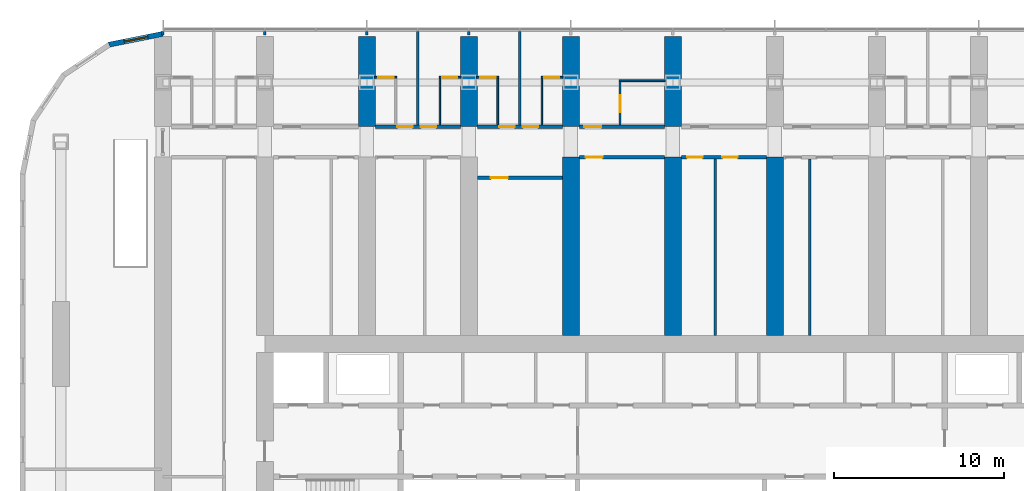
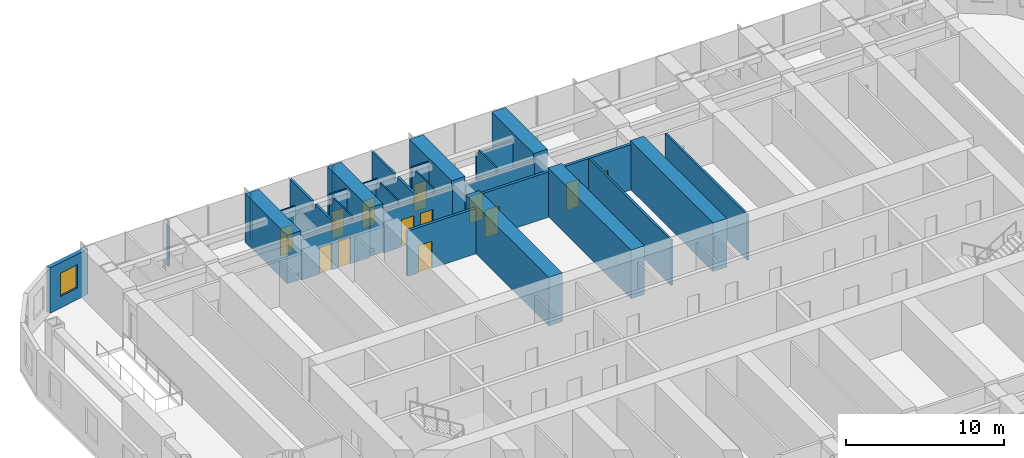
# One storey, part 15 of 23: 31 walls, 14 doors, 1 window, 15 openings.
"""IFC4 building model written with IfcOpenShell, lengths in metres."""

from ifc_helpers import new_model, si_unit, direction, frame, frame_2d, origin, place, context, subcontext, project, spatial, polyline, rectangle, outline, extrude, material, layer, layer_set, type_object, element, fill, save


model = new_model("IFC4")

# Units and contexts
model_context = context("Model", 3, precision=1e-05, world=origin(), true_north=direction((0.0, 1.0)))
body_context = subcontext(model_context, "Body", "Model", "MODEL_VIEW")
ifc_project = project(units=[si_unit("LENGTHUNIT", "METRE"), si_unit("AREAUNIT", "SQUARE_METRE"), si_unit("VOLUMEUNIT", "CUBIC_METRE"), si_unit("PLANEANGLEUNIT", "RADIAN"), si_unit("MASSUNIT", "GRAM", prefix="KILO")], contexts=[model_context])

# Site, building, storey
site_placement = place(None, origin())
site = spatial("IfcSite", under=ifc_project, at=site_placement, CompositionType="ELEMENT")
building_placement = place(site_placement, origin())
building = spatial("IfcBuilding", under=site, at=building_placement, Name="Orbita Commons", CompositionType="ELEMENT")
storey_placement = place(building_placement, frame((0.0, 0.0, 42.699951171875)))
storey = spatial("IfcBuildingStorey", under=building, at=storey_placement, Name="L10", CompositionType="ELEMENT", Elevation=42.699951171875)

# Wall, openings, doors
ifc_material_1 = material(Name="Concrete blockwork", Category="masonry")
ifc_layer_1 = layer(ifc_material_1, 0.199951171875)
ifc_layer_set_1 = layer_set([ifc_layer_1], Name="Concrete blockwork")
wall_type_1 = type_object("IfcWallType", Name="Corridor wall 200 blockwork", PredefinedType="SOLIDWALL", material=ifc_layer_set_1)
wall_1_placement = place(storey_placement, frame((24.5, 51.0, 0.0), z_axis=(0.0, 0.0, 1.0), x_axis=(1.0, 0.0, 0.0)))
wall_1 = element("IfcWall", 1, at=wall_1_placement, inside=storey, type_object=wall_type_1, Name="Corridor wall 200 blockwork L10", PredefinedType="SOLIDWALL", context=body_context, shape_type="SweptSolid", body=[
    extrude(outline(polyline([(0.0, 0.0), (5.0, 0.0), (5.0, 3.10009765625), (0.0, 3.10009765625), (0.0, 0.0)])), frame((0.0, 0.10009765625, 0.0), z_axis=(0.0, -1.0, 0.0), x_axis=(1.0, 0.0, 0.0)), (0.0, 0.0, 1.0), 0.199951171875),
])
opening_1_placement = place(wall_1_placement, frame((1.300048828125, 0.0, 0.0)))
opening_1 = element("IfcOpeningElement", 2, at=opening_1_placement, cuts=wall_1, Name="Opening D11", PredefinedType="OPENING", context=body_context, shape_type="SweptSolid", body=[
    extrude(rectangle(XDim=0.89990234375, YDim=2.10009765625, at=frame_2d((0.449951171875, 1.050048828125))), frame((0.0, 0.10986328125, 0.0), z_axis=(0.0, -1.0, 0.0), x_axis=(1.0, 0.0, 0.0)), (0.0, 0.0, 1.0), 0.219970703125),
])
opening_2_placement = place(wall_1_placement, frame((2.675048828125, 0.0, 0.0)))
opening_2 = element("IfcOpeningElement", 3, at=opening_2_placement, cuts=wall_1, Name="Opening D11", PredefinedType="OPENING", context=body_context, shape_type="SweptSolid", body=[
    extrude(rectangle(XDim=0.89990234375, YDim=2.10009765625, at=frame_2d((0.449951171875, 1.050048828125))), frame((0.0, 0.10986328125, 0.0), z_axis=(0.0, -1.0, 0.0), x_axis=(1.0, 0.0, 0.0)), (0.0, 0.0, 1.0), 0.219970703125),
])
ifc_material_2 = material(Name="Steel-faced fire door leaf", Category="steel")
door_type_1 = type_object("IfcDoorType", Name="Corridor door 20 min 900x2100", OperationType="SINGLE_SWING_LEFT", PredefinedType="DOOR", material=ifc_material_2)
door_1_placement = place(opening_1_placement, origin())
door_1 = element("IfcDoor", 4, at=door_1_placement, inside=storey, type_object=door_type_1, Name="House bedroom L10-N04 door", OperationType="SINGLE_SWING_LEFT", OverallHeight=2.10009765625, OverallWidth=0.89990234375, PredefinedType="DOOR", context=body_context, shape_type="SweptSolid", body=[
    extrude(rectangle(XDim=0.89990234375, YDim=2.10009765625, at=frame_2d((0.449951171875, 1.050048828125))), frame((0.0, 0.02490234375, 0.0), z_axis=(0.0, -1.0, 0.0), x_axis=(1.0, 0.0, 0.0)), (0.0, 0.0, 1.0), 0.050048828125),
])
fill(opening_1, door_1)
door_2_placement = place(opening_2_placement, origin())
door_2 = element("IfcDoor", 5, at=door_2_placement, inside=storey, type_object=door_type_1, Name="House bedroom L10-N05 door", OperationType="SINGLE_SWING_LEFT", OverallHeight=2.10009765625, OverallWidth=0.89990234375, PredefinedType="DOOR", context=body_context, shape_type="SweptSolid", body=[
    extrude(rectangle(XDim=0.89990234375, YDim=2.10009765625, at=frame_2d((0.449951171875, 1.050048828125))), frame((0.0, 0.02490234375, 0.0), z_axis=(0.0, -1.0, 0.0), x_axis=(1.0, 0.0, 0.0)), (0.0, 0.0, 1.0), 0.050048828125),
])
fill(opening_2, door_2)

wall_2_placement = place(storey_placement, frame((30.5, 51.0, 0.0), z_axis=(0.0, 0.0, 1.0), x_axis=(1.0, 0.0, 0.0)))
wall_2 = element("IfcWall", 6, at=wall_2_placement, inside=storey, type_object=wall_type_1, Name="Corridor wall 200 blockwork L10", PredefinedType="SOLIDWALL", context=body_context, shape_type="SweptSolid", body=[
    extrude(outline(polyline([(0.0, 0.0), (5.0, 0.0), (5.0, 3.10009765625), (0.0, 3.10009765625), (0.0, 0.0)])), frame((0.0, 0.10009765625, 0.0), z_axis=(0.0, -1.0, 0.0), x_axis=(1.0, 0.0, 0.0)), (0.0, 0.0, 1.0), 0.199951171875),
])
opening_3_placement = place(wall_2_placement, frame((1.300048828125, 0.0, 0.0)))
opening_3 = element("IfcOpeningElement", 7, at=opening_3_placement, cuts=wall_2, Name="Opening D11", PredefinedType="OPENING", context=body_context, shape_type="SweptSolid", body=[
    extrude(rectangle(XDim=0.89990234375, YDim=2.10009765625, at=frame_2d((0.449951171875, 1.050048828125))), frame((0.0, 0.10986328125, 0.0), z_axis=(0.0, -1.0, 0.0), x_axis=(1.0, 0.0, 0.0)), (0.0, 0.0, 1.0), 0.219970703125),
])
opening_4_placement = place(wall_2_placement, frame((2.675048828125, 0.0, 0.0)))
opening_4 = element("IfcOpeningElement", 8, at=opening_4_placement, cuts=wall_2, Name="Opening D11", PredefinedType="OPENING", context=body_context, shape_type="SweptSolid", body=[
    extrude(rectangle(XDim=0.89990234375, YDim=2.10009765625, at=frame_2d((0.449951171875, 1.050048828125))), frame((0.0, 0.10986328125, 0.0), z_axis=(0.0, -1.0, 0.0), x_axis=(1.0, 0.0, 0.0)), (0.0, 0.0, 1.0), 0.219970703125),
])
door_3_placement = place(opening_3_placement, origin())
door_3 = element("IfcDoor", 9, at=door_3_placement, inside=storey, type_object=door_type_1, Name="House bedroom L10-N06 door", OperationType="SINGLE_SWING_LEFT", OverallHeight=2.10009765625, OverallWidth=0.89990234375, PredefinedType="DOOR", context=body_context, shape_type="SweptSolid", body=[
    extrude(rectangle(XDim=0.89990234375, YDim=2.10009765625, at=frame_2d((0.449951171875, 1.050048828125))), frame((0.0, 0.02490234375, 0.0), z_axis=(0.0, -1.0, 0.0), x_axis=(1.0, 0.0, 0.0)), (0.0, 0.0, 1.0), 0.050048828125),
])
fill(opening_3, door_3)
door_4_placement = place(opening_4_placement, origin())
door_4 = element("IfcDoor", 10, at=door_4_placement, inside=storey, type_object=door_type_1, Name="House bedroom L10-N07 door", OperationType="SINGLE_SWING_LEFT", OverallHeight=2.10009765625, OverallWidth=0.89990234375, PredefinedType="DOOR", context=body_context, shape_type="SweptSolid", body=[
    extrude(rectangle(XDim=0.89990234375, YDim=2.10009765625, at=frame_2d((0.449951171875, 1.050048828125))), frame((0.0, 0.02490234375, 0.0), z_axis=(0.0, -1.0, 0.0), x_axis=(1.0, 0.0, 0.0)), (0.0, 0.0, 1.0), 0.050048828125),
])
fill(opening_4, door_4)

# Wall, opening, door
wall_3_placement = place(storey_placement, frame((36.5, 51.0, 0.0), z_axis=(0.0, 0.0, 1.0), x_axis=(1.0, 0.0, 0.0)))
wall_3 = element("IfcWall", 11, at=wall_3_placement, inside=storey, type_object=wall_type_1, Name="Corridor wall 200 blockwork L10", PredefinedType="SOLIDWALL", context=body_context, shape_type="SweptSolid", body=[
    extrude(outline(polyline([(0.0, 0.0), (5.0, 0.0), (5.0, 3.10009765625), (0.0, 3.10009765625), (0.0, 0.0)])), frame((0.0, 0.10009765625, 0.0), z_axis=(0.0, -1.0, 0.0), x_axis=(1.0, 0.0, 0.0)), (0.0, 0.0, 1.0), 0.199951171875),
])
opening_5_placement = place(wall_3_placement, frame((0.300048828125, 0.0, 0.0)))
opening_5 = element("IfcOpeningElement", 12, at=opening_5_placement, cuts=wall_3, Name="Opening D06", PredefinedType="OPENING", context=body_context, shape_type="SweptSolid", body=[
    extrude(rectangle(XDim=1.0, YDim=2.10009765625, at=frame_2d((0.5, 1.050048828125))), frame((0.0, 0.10986328125, 0.0), z_axis=(0.0, -1.0, 0.0), x_axis=(1.0, 0.0, 0.0)), (0.0, 0.0, 1.0), 0.219970703125),
])
ifc_material_3 = material(Name="Steel-faced fire door leaf", Category="steel")
door_type_2 = type_object("IfcDoorType", Name="Corridor door 20 min 1000x2100", OperationType="SINGLE_SWING_LEFT", PredefinedType="DOOR", material=ifc_material_3)
door_5_placement = place(opening_5_placement, origin())
door_5 = element("IfcDoor", 13, at=door_5_placement, inside=storey, type_object=door_type_2, Name="Accessible bedroom L10-N08 door", OperationType="SINGLE_SWING_LEFT", OverallHeight=2.10009765625, OverallWidth=1.0, PredefinedType="DOOR", context=body_context, shape_type="SweptSolid", body=[
    extrude(rectangle(XDim=1.0, YDim=2.10009765625, at=frame_2d((0.5, 1.050048828125))), frame((0.0, 0.02490234375, 0.0), z_axis=(0.0, -1.0, 0.0), x_axis=(1.0, 0.0, 0.0)), (0.0, 0.0, 1.0), 0.050048828125),
])
fill(opening_5, door_5)

ifc_material_4 = material(Name="Hollow concrete block 200", Category="concrete")
ifc_layer_2 = layer(ifc_material_4, 0.199951171875)
ifc_layer_set_2 = layer_set([ifc_layer_2], Name="Hollow concrete block 200")
wall_type_2 = type_object("IfcWallType", Name="Corridor wall 200 hollow concrete block", PredefinedType="SOLIDWALL", material=ifc_layer_set_2)
wall_4_placement = place(storey_placement, frame((36.5, 49.199951171875, 0.0), z_axis=(0.0, 0.0, 1.0), x_axis=(1.0, 0.0, 0.0)))
wall_4 = element("IfcWall", 14, at=wall_4_placement, inside=storey, type_object=wall_type_2, Name="Corridor wall 200 hollow concrete block L10", PredefinedType="SOLIDWALL", context=body_context, shape_type="SweptSolid", body=[
    extrude(rectangle(XDim=5.0, YDim=0.199951171875, at=frame_2d((2.5, 0.0))), origin(), (0.0, 0.0, 1.0), 3.5),
])
opening_6_placement = place(wall_4_placement, frame((0.375, 0.0, 0.0)))
opening_6 = element("IfcOpeningElement", 15, at=opening_6_placement, cuts=wall_4, Name="Opening D06", PredefinedType="OPENING", context=body_context, shape_type="SweptSolid", body=[
    extrude(rectangle(XDim=1.0, YDim=2.10009765625, at=frame_2d((0.5, 1.050048828125))), frame((0.0, 0.10986328125, 0.0), z_axis=(0.0, -1.0, 0.0), x_axis=(1.0, 0.0, 0.0)), (0.0, 0.0, 1.0), 0.219970703125),
])
door_6_placement = place(opening_6_placement, origin())
door_6 = element("IfcDoor", 16, at=door_6_placement, inside=storey, type_object=door_type_2, Name="Store L10-BDN36 door", OperationType="SINGLE_SWING_LEFT", OverallHeight=2.10009765625, OverallWidth=1.0, PredefinedType="DOOR", context=body_context, shape_type="SweptSolid", body=[
    extrude(rectangle(XDim=1.0, YDim=2.10009765625, at=frame_2d((0.5, 1.050048828125))), frame((0.0, 0.02490234375, 0.0), z_axis=(0.0, -1.0, 0.0), x_axis=(1.0, 0.0, 0.0)), (0.0, 0.0, 1.0), 0.050048828125),
])
fill(opening_6, door_6)

# Wall, openings, doors
wall_5_placement = place(storey_placement, frame((42.5, 49.199951171875, 0.0), z_axis=(0.0, 0.0, 1.0), x_axis=(1.0, 0.0, 0.0)))
wall_5 = element("IfcWall", 17, at=wall_5_placement, inside=storey, type_object=wall_type_2, Name="Corridor wall 200 hollow concrete block L10", PredefinedType="SOLIDWALL", context=body_context, shape_type="SweptSolid", body=[
    extrude(rectangle(XDim=5.0, YDim=0.199951171875, at=frame_2d((2.5, 0.0))), origin(), (0.0, 0.0, 1.0), 3.5),
])
opening_7_placement = place(wall_5_placement, frame((0.35009765625, 0.0, 0.0)))
opening_7 = element("IfcOpeningElement", 18, at=opening_7_placement, cuts=wall_5, Name="Opening D11", PredefinedType="OPENING", context=body_context, shape_type="SweptSolid", body=[
    extrude(rectangle(XDim=0.89990234375, YDim=2.10009765625, at=frame_2d((0.449951171875, 1.050048828125))), frame((0.0, 0.10986328125, 0.0), z_axis=(0.0, -1.0, 0.0), x_axis=(1.0, 0.0, 0.0)), (0.0, 0.0, 1.0), 0.219970703125),
])
opening_8_placement = place(wall_5_placement, frame((2.4150390625, 0.0, 0.0)))
opening_8 = element("IfcOpeningElement", 19, at=opening_8_placement, cuts=wall_5, Name="Opening D11", PredefinedType="OPENING", context=body_context, shape_type="SweptSolid", body=[
    extrude(rectangle(XDim=0.89990234375, YDim=2.10009765625, at=frame_2d((0.449951171875, 1.050048828125))), frame((0.0, 0.10986328125, 0.0), z_axis=(0.0, -1.0, 0.0), x_axis=(1.0, 0.0, 0.0)), (0.0, 0.0, 1.0), 0.219970703125),
])
door_7_placement = place(opening_7_placement, origin())
door_7 = element("IfcDoor", 20, at=door_7_placement, inside=storey, type_object=door_type_1, Name="Sprinkler valve room L10-BDN42n door", OperationType="SINGLE_SWING_LEFT", OverallHeight=2.10009765625, OverallWidth=0.89990234375, PredefinedType="DOOR", context=body_context, shape_type="SweptSolid", body=[
    extrude(rectangle(XDim=0.89990234375, YDim=2.10009765625, at=frame_2d((0.449951171875, 1.050048828125))), frame((0.0, 0.02490234375, 0.0), z_axis=(0.0, -1.0, 0.0), x_axis=(1.0, 0.0, 0.0)), (0.0, 0.0, 1.0), 0.050048828125),
])
fill(opening_7, door_7)
door_8_placement = place(opening_8_placement, origin())
door_8 = element("IfcDoor", 21, at=door_8_placement, inside=storey, type_object=door_type_1, Name="Refuse and recycling room L10-BDN42 door", OperationType="SINGLE_SWING_LEFT", OverallHeight=2.10009765625, OverallWidth=0.89990234375, PredefinedType="DOOR", context=body_context, shape_type="SweptSolid", body=[
    extrude(rectangle(XDim=0.89990234375, YDim=2.10009765625, at=frame_2d((0.449951171875, 1.050048828125))), frame((0.0, 0.02490234375, 0.0), z_axis=(0.0, -1.0, 0.0), x_axis=(1.0, 0.0, 0.0)), (0.0, 0.0, 1.0), 0.050048828125),
])
fill(opening_8, door_8)

# Wall, opening, door
wall_6_placement = place(storey_placement, frame((30.5, 48.0, 0.0), z_axis=(0.0, 0.0, 1.0), x_axis=(1.0, 0.0, 0.0)))
wall_6 = element("IfcWall", 22, at=wall_6_placement, inside=storey, type_object=wall_type_2, Name="Corridor wall 200 hollow concrete block L10", PredefinedType="SOLIDWALL", context=body_context, shape_type="SweptSolid", body=[
    extrude(rectangle(XDim=5.0, YDim=0.199951171875, at=frame_2d((2.5, 0.0))), origin(), (0.0, 0.0, 1.0), 3.5),
])
opening_9_placement = place(wall_6_placement, frame((0.800048828125, 0.0, 0.0)))
opening_9 = element("IfcOpeningElement", 23, at=opening_9_placement, cuts=wall_6, Name="Opening D06", PredefinedType="OPENING", context=body_context, shape_type="SweptSolid", body=[
    extrude(rectangle(XDim=1.0, YDim=2.10009765625, at=frame_2d((0.5, 1.050048828125))), frame((0.0, 0.10986328125, 0.0), z_axis=(0.0, -1.0, 0.0), x_axis=(1.0, 0.0, 0.0)), (0.0, 0.0, 1.0), 0.219970703125),
])
door_9_placement = place(opening_9_placement, origin())
door_9 = element("IfcDoor", 24, at=door_9_placement, inside=storey, type_object=door_type_2, Name="Bulk and luggage store L10-BDN30 door", OperationType="SINGLE_SWING_LEFT", OverallHeight=2.10009765625, OverallWidth=1.0, PredefinedType="DOOR", context=body_context, shape_type="SweptSolid", body=[
    extrude(rectangle(XDim=1.0, YDim=2.10009765625, at=frame_2d((0.5, 1.050048828125))), frame((0.0, 0.02490234375, 0.0), z_axis=(0.0, -1.0, 0.0), x_axis=(1.0, 0.0, 0.0)), (0.0, 0.0, 1.0), 0.050048828125),
])
fill(opening_9, door_9)

# Walls
ifc_material_5 = material(Name="Concrete C50/60", Category="concrete")
ifc_layer_3 = layer(ifc_material_5, 1.0)
ifc_layer_set_3 = layer_set([ifc_layer_3], Name="Concrete C50/60")
wall_type_3 = type_object("IfcWallType", Name="Cross wall 1000 C50/60", PredefinedType="SHEAR", material=ifc_layer_set_3)
for number, where, z_axis, x_axis, name in (
    (25, (24.0, 51.0, 0.0), (0.0, 0.0, 1.0), (0.0, 1.0, 0.0), "Cross wall 5 north outer L10"),
    (26, (30.0, 51.0, 0.0), (0.0, 0.0, 1.0), (0.0, 1.0, 0.0), "Cross wall 6 north outer L10"),
    (27, (36.0, 51.0, 0.0), (0.0, 0.0, 1.0), (0.0, 1.0, 0.0), "Cross wall 7 north outer L10"),
):
    element("IfcWall", number, at=place(storey_placement, frame(where, z_axis=z_axis, x_axis=x_axis)), inside=storey, type_object=wall_type_3, Name=name, PredefinedType="SHEAR", context=body_context, shape_type="SweptSolid", body=[
        extrude(rectangle(XDim=5.300048828125, YDim=1.0, at=frame_2d((2.64990234375, 0.0))), origin(), (0.0, 0.0, 1.0), 3.75),
    ])
wall_7_placement = place(storey_placement, frame((36.0, 38.699951171875, 0.0), z_axis=(0.0, 0.0, 1.0), x_axis=(0.0, 1.0, 0.0)))
element("IfcWall", 28, at=wall_7_placement, inside=storey, type_object=wall_type_3, Name="Cross wall 7 north inner L10", PredefinedType="SHEAR", context=body_context, shape_type="SweptSolid", body=[
    extrude(rectangle(XDim=10.5, YDim=1.0, at=frame_2d((5.25, 0.0))), origin(), (0.0, 0.0, 1.0), 3.75),
])
wall_8_placement = place(storey_placement, frame((42.0, 51.0, 0.0), z_axis=(0.0, 0.0, 1.0), x_axis=(0.0, 1.0, 0.0)))
element("IfcWall", 29, at=wall_8_placement, inside=storey, type_object=wall_type_3, Name="Cross wall 8 north outer L10", PredefinedType="SHEAR", context=body_context, shape_type="SweptSolid", body=[
    extrude(rectangle(XDim=5.300048828125, YDim=1.0, at=frame_2d((2.64990234375, 0.0))), origin(), (0.0, 0.0, 1.0), 3.75),
])
for number, where, z_axis, x_axis, name in (
    (30, (42.0, 38.699951171875, 0.0), (0.0, 0.0, 1.0), (0.0, 1.0, 0.0), "Cross wall 8 north inner L10"),
    (31, (48.0, 38.699951171875, 0.0), (0.0, 0.0, 1.0), (0.0, 1.0, 0.0), "Cross wall 9 north inner L10"),
):
    element("IfcWall", number, at=place(storey_placement, frame(where, z_axis=z_axis, x_axis=x_axis)), inside=storey, type_object=wall_type_3, Name=name, PredefinedType="SHEAR", context=body_context, shape_type="SweptSolid", body=[
        extrude(rectangle(XDim=10.5, YDim=1.0, at=frame_2d((5.25, 0.0))), origin(), (0.0, 0.0, 1.0), 3.75),
    ])

# Wall, opening, door
ifc_material_6 = material(Name="Moisture-resistant plasterboard on steel studs", Category="steel")
ifc_layer_4 = layer(ifc_material_6, 0.10009765625)
ifc_layer_set_4 = layer_set([ifc_layer_4], Name="Moisture-resistant plasterboard on steel studs")
wall_type_4 = type_object("IfcWallType", Name="En-suite partition 100", PredefinedType="PARTITIONING", material=ifc_layer_set_4)
wall_9_placement = place(storey_placement, frame((24.449951171875, 53.89990234375, 0.0), z_axis=(0.0, 0.0, 1.0), x_axis=(1.0, 0.0, 0.0)))
wall_9 = element("IfcWall", 32, at=wall_9_placement, inside=storey, type_object=wall_type_4, Name="En-suite partition 100 L10", PredefinedType="PARTITIONING", context=body_context, shape_type="SweptSolid", body=[
    extrude(rectangle(XDim=1.300048828125, YDim=0.10009765625, at=frame_2d((0.64990234375, 0.0))), origin(), (0.0, 0.0, 1.0), 3.5),
])
opening_10_placement = place(wall_9_placement, frame((0.22509765625, 0.0, 0.0)))
opening_10 = element("IfcOpeningElement", 33, at=opening_10_placement, cuts=wall_9, Name="Opening D09", PredefinedType="OPENING", context=body_context, shape_type="SweptSolid", body=[
    extrude(rectangle(XDim=0.89990234375, YDim=2.10009765625, at=frame_2d((0.449951171875, 1.050048828125))), frame((0.0, 0.06005859375, 0.0), z_axis=(0.0, -1.0, 0.0), x_axis=(1.0, 0.0, 0.0)), (0.0, 0.0, 1.0), 0.1201171875),
])
ifc_material_7 = material(Name="Laminated timber door leaf", Category="wood")
door_type_3 = type_object("IfcDoorType", Name="En-suite door 900x2100", OperationType="SINGLE_SWING_RIGHT", PredefinedType="DOOR", material=ifc_material_7)
door_10_placement = place(opening_10_placement, origin())
door_10 = element("IfcDoor", 34, at=door_10_placement, inside=storey, type_object=door_type_3, Name="En-suite L10-N04 door", OperationType="SINGLE_SWING_RIGHT", OverallHeight=2.10009765625, OverallWidth=0.89990234375, PredefinedType="DOOR", context=body_context, shape_type="SweptSolid", body=[
    extrude(rectangle(XDim=0.89990234375, YDim=2.10009765625, at=frame_2d((0.449951171875, 1.050048828125))), frame((0.0, 0.02490234375, 0.0), z_axis=(0.0, -1.0, 0.0), x_axis=(1.0, 0.0, 0.0)), (0.0, 0.0, 1.0), 0.050048828125),
])
fill(opening_10, door_10)

wall_10_placement = place(storey_placement, frame((28.25, 53.89990234375, 0.0), z_axis=(0.0, 0.0, 1.0), x_axis=(1.0, 0.0, 0.0)))
wall_10 = element("IfcWall", 35, at=wall_10_placement, inside=storey, type_object=wall_type_4, Name="En-suite partition 100 L10", PredefinedType="PARTITIONING", context=body_context, shape_type="SweptSolid", body=[
    extrude(rectangle(XDim=1.300048828125, YDim=0.10009765625, at=frame_2d((0.64990234375, 0.0))), origin(), (0.0, 0.0, 1.0), 3.5),
])
opening_11_placement = place(wall_10_placement, frame((0.175048828125, 0.0, 0.0)))
opening_11 = element("IfcOpeningElement", 36, at=opening_11_placement, cuts=wall_10, Name="Opening D09", PredefinedType="OPENING", context=body_context, shape_type="SweptSolid", body=[
    extrude(rectangle(XDim=0.89990234375, YDim=2.10009765625, at=frame_2d((0.449951171875, 1.050048828125))), frame((0.0, 0.06005859375, 0.0), z_axis=(0.0, -1.0, 0.0), x_axis=(1.0, 0.0, 0.0)), (0.0, 0.0, 1.0), 0.1201171875),
])
door_11_placement = place(opening_11_placement, origin())
door_11 = element("IfcDoor", 37, at=door_11_placement, inside=storey, type_object=door_type_3, Name="En-suite L10-N05 door", OperationType="SINGLE_SWING_RIGHT", OverallHeight=2.10009765625, OverallWidth=0.89990234375, PredefinedType="DOOR", context=body_context, shape_type="SweptSolid", body=[
    extrude(rectangle(XDim=0.89990234375, YDim=2.10009765625, at=frame_2d((0.449951171875, 1.050048828125))), frame((0.0, 0.02490234375, 0.0), z_axis=(0.0, -1.0, 0.0), x_axis=(1.0, 0.0, 0.0)), (0.0, 0.0, 1.0), 0.050048828125),
])
fill(opening_11, door_11)

# Wall
wall_11_placement = place(storey_placement, frame((28.300048828125, 53.85009765625, 0.0), z_axis=(0.0, 0.0, 1.0), x_axis=(0.0, -1.0, 0.0)))
element("IfcWall", 38, at=wall_11_placement, inside=storey, type_object=wall_type_4, Name="En-suite partition 100 L10", PredefinedType="PARTITIONING", context=body_context, shape_type="SweptSolid", body=[
    extrude(outline(polyline([(0.0, 0.0), (2.75, 0.0), (2.75, 3.10009765625), (2.701904296875, 3.10009765625), (2.699951171875, 3.5), (0.451904296875, 3.5), (0.449951171875, 3.10009765625), (0.0, 3.10009765625), (0.0, 0.0)])), frame((0.0, 0.050048828125, 0.0), z_axis=(0.0, -1.0, 0.0), x_axis=(1.0, 0.0, 0.0)), (0.0, 0.0, 1.0), 0.10009765625),
])

# Wall, opening, door
wall_12_placement = place(storey_placement, frame((30.449951171875, 53.89990234375, 0.0), z_axis=(0.0, 0.0, 1.0), x_axis=(1.0, 0.0, 0.0)))
wall_12 = element("IfcWall", 39, at=wall_12_placement, inside=storey, type_object=wall_type_4, Name="En-suite partition 100 L10", PredefinedType="PARTITIONING", context=body_context, shape_type="SweptSolid", body=[
    extrude(rectangle(XDim=1.300048828125, YDim=0.10009765625, at=frame_2d((0.64990234375, 0.0))), origin(), (0.0, 0.0, 1.0), 3.5),
])
opening_12_placement = place(wall_12_placement, frame((0.22509765625, 0.0, 0.0)))
opening_12 = element("IfcOpeningElement", 40, at=opening_12_placement, cuts=wall_12, Name="Opening D09", PredefinedType="OPENING", context=body_context, shape_type="SweptSolid", body=[
    extrude(rectangle(XDim=0.89990234375, YDim=2.10009765625, at=frame_2d((0.449951171875, 1.050048828125))), frame((0.0, 0.06005859375, 0.0), z_axis=(0.0, -1.0, 0.0), x_axis=(1.0, 0.0, 0.0)), (0.0, 0.0, 1.0), 0.1201171875),
])
door_12_placement = place(opening_12_placement, origin())
door_12 = element("IfcDoor", 41, at=door_12_placement, inside=storey, type_object=door_type_3, Name="En-suite L10-N06 door", OperationType="SINGLE_SWING_RIGHT", OverallHeight=2.10009765625, OverallWidth=0.89990234375, PredefinedType="DOOR", context=body_context, shape_type="SweptSolid", body=[
    extrude(rectangle(XDim=0.89990234375, YDim=2.10009765625, at=frame_2d((0.449951171875, 1.050048828125))), frame((0.0, 0.02490234375, 0.0), z_axis=(0.0, -1.0, 0.0), x_axis=(1.0, 0.0, 0.0)), (0.0, 0.0, 1.0), 0.050048828125),
])
fill(opening_12, door_12)

# Wall
wall_13_placement = place(storey_placement, frame((31.699951171875, 53.85009765625, 0.0), z_axis=(0.0, 0.0, 1.0), x_axis=(0.0, -1.0, 0.0)))
element("IfcWall", 42, at=wall_13_placement, inside=storey, type_object=wall_type_4, Name="En-suite partition 100 L10", PredefinedType="PARTITIONING", context=body_context, shape_type="SweptSolid", body=[
    extrude(outline(polyline([(0.0, 0.0), (2.75, 0.0), (2.75, 3.10009765625), (2.701904296875, 3.10009765625), (2.699951171875, 3.5), (0.451904296875, 3.5), (0.449951171875, 3.10009765625), (0.0, 3.10009765625), (0.0, 0.0)])), frame((0.0, 0.050048828125, 0.0), z_axis=(0.0, -1.0, 0.0), x_axis=(1.0, 0.0, 0.0)), (0.0, 0.0, 1.0), 0.10009765625),
])

# Wall, opening, door
wall_14_placement = place(storey_placement, frame((34.25, 53.89990234375, 0.0), z_axis=(0.0, 0.0, 1.0), x_axis=(1.0, 0.0, 0.0)))
wall_14 = element("IfcWall", 43, at=wall_14_placement, inside=storey, type_object=wall_type_4, Name="En-suite partition 100 L10", PredefinedType="PARTITIONING", context=body_context, shape_type="SweptSolid", body=[
    extrude(rectangle(XDim=1.300048828125, YDim=0.10009765625, at=frame_2d((0.64990234375, 0.0))), origin(), (0.0, 0.0, 1.0), 3.5),
])
opening_13_placement = place(wall_14_placement, frame((0.175048828125, 0.0, 0.0)))
opening_13 = element("IfcOpeningElement", 44, at=opening_13_placement, cuts=wall_14, Name="Opening D09", PredefinedType="OPENING", context=body_context, shape_type="SweptSolid", body=[
    extrude(rectangle(XDim=0.89990234375, YDim=2.10009765625, at=frame_2d((0.449951171875, 1.050048828125))), frame((0.0, 0.06005859375, 0.0), z_axis=(0.0, -1.0, 0.0), x_axis=(1.0, 0.0, 0.0)), (0.0, 0.0, 1.0), 0.1201171875),
])
door_13_placement = place(opening_13_placement, origin())
door_13 = element("IfcDoor", 45, at=door_13_placement, inside=storey, type_object=door_type_3, Name="En-suite L10-N07 door", OperationType="SINGLE_SWING_RIGHT", OverallHeight=2.10009765625, OverallWidth=0.89990234375, PredefinedType="DOOR", context=body_context, shape_type="SweptSolid", body=[
    extrude(rectangle(XDim=0.89990234375, YDim=2.10009765625, at=frame_2d((0.449951171875, 1.050048828125))), frame((0.0, 0.02490234375, 0.0), z_axis=(0.0, -1.0, 0.0), x_axis=(1.0, 0.0, 0.0)), (0.0, 0.0, 1.0), 0.050048828125),
])
fill(opening_13, door_13)

# Walls
wall_15_placement = place(storey_placement, frame((34.300048828125, 53.85009765625, 0.0), z_axis=(0.0, 0.0, 1.0), x_axis=(0.0, -1.0, 0.0)))
element("IfcWall", 46, at=wall_15_placement, inside=storey, type_object=wall_type_4, Name="En-suite partition 100 L10", PredefinedType="PARTITIONING", context=body_context, shape_type="SweptSolid", body=[
    extrude(outline(polyline([(0.0, 0.0), (2.75, 0.0), (2.75, 3.10009765625), (2.701904296875, 3.10009765625), (2.699951171875, 3.5), (0.451904296875, 3.5), (0.449951171875, 3.10009765625), (0.0, 3.10009765625), (0.0, 0.0)])), frame((0.0, 0.050048828125, 0.0), z_axis=(0.0, -1.0, 0.0), x_axis=(1.0, 0.0, 0.0)), (0.0, 0.0, 1.0), 0.10009765625),
])
wall_16_placement = place(storey_placement, frame((38.85009765625, 53.699951171875, 0.0), z_axis=(0.0, 0.0, 1.0), x_axis=(1.0, 0.0, 0.0)))
element("IfcWall", 47, at=wall_16_placement, inside=storey, type_object=wall_type_4, Name="En-suite partition 100 L10", PredefinedType="PARTITIONING", context=body_context, shape_type="SweptSolid", body=[
    extrude(outline(polyline([(0.0, 0.0), (2.699951171875, 0.0), (2.699951171875, 3.10009765625), (0.0, 3.10009765625), (0.0, 0.0)])), frame((0.0, 0.050048828125, 0.0), z_axis=(0.0, -1.0, 0.0), x_axis=(1.0, 0.0, 0.0)), (0.0, 0.0, 1.0), 0.10009765625),
])

# Wall, opening, door
wall_17_placement = place(storey_placement, frame((38.89990234375, 53.64990234375, 0.0), z_axis=(0.0, 0.0, 1.0), x_axis=(0.0, -1.0, 0.0)))
wall_17 = element("IfcWall", 48, at=wall_17_placement, inside=storey, type_object=wall_type_4, Name="En-suite partition 100 L10", PredefinedType="PARTITIONING", context=body_context, shape_type="SweptSolid", body=[
    extrude(outline(polyline([(0.0, 0.0), (2.5498046875, 0.0), (2.550048828125, 3.10009765625), (2.501953125, 3.10009765625), (2.5, 3.5), (0.251953125, 3.5), (0.25, 3.10009765625), (0.0, 3.10009765625), (0.0, 0.0)])), frame((0.0, 0.050048828125, 0.0), z_axis=(0.0, -1.0, 0.0), x_axis=(1.0, 0.0, 0.0)), (0.0, 0.0, 1.0), 0.10009765625),
])
opening_14_placement = place(wall_17_placement, frame((0.800048828125, 0.0, 0.0)))
opening_14 = element("IfcOpeningElement", 49, at=opening_14_placement, cuts=wall_17, Name="Opening D13", PredefinedType="OPENING", context=body_context, shape_type="SweptSolid", body=[
    extrude(rectangle(XDim=1.0, YDim=2.10009765625, at=frame_2d((0.5, 1.050048828125))), frame((0.0, 0.06005859375, 0.0), z_axis=(0.0, -1.0, 0.0), x_axis=(1.0, 0.0, 0.0)), (0.0, 0.0, 1.0), 0.1201171875),
])
ifc_material_8 = material(Name="Laminated timber door leaf", Category="wood")
door_type_4 = type_object("IfcDoorType", Name="En-suite door 1000x2100", OperationType="SINGLE_SWING_RIGHT", PredefinedType="DOOR", material=ifc_material_8)
door_14_placement = place(opening_14_placement, origin())
door_14 = element("IfcDoor", 50, at=door_14_placement, inside=storey, type_object=door_type_4, Name="Accessible shower room L10-N08 door", OperationType="SINGLE_SWING_RIGHT", OverallHeight=2.10009765625, OverallWidth=1.0, PredefinedType="DOOR", context=body_context, shape_type="SweptSolid", body=[
    extrude(rectangle(XDim=1.0, YDim=2.10009765625, at=frame_2d((0.5, 1.050048828125))), frame((0.0, 0.02490234375, 0.0), z_axis=(0.0, -1.0, 0.0), x_axis=(1.0, 0.0, 0.0)), (0.0, 0.0, 1.0), 0.050048828125),
])
fill(opening_14, door_14)

# Walls
ifc_material_9 = material(Name="Gypsum plasterboard on steel studs", Category="steel")
ifc_layer_5 = layer(ifc_material_9, 0.14990234375)
ifc_layer_set_5 = layer_set([ifc_layer_5], Name="Gypsum plasterboard on steel studs")
wall_type_5 = type_object("IfcWallType", Name="Partition 150 plasterboard", PredefinedType="PARTITIONING", material=ifc_layer_set_5)
for number, where, z_axis, x_axis, name in (
    (51, (44.489990234375, 38.699951171875, 0.0), (0.0, 0.0, 1.0), (0.0, 1.0, 0.0), "Partition 150 plasterboard L10"),
    (52, (50.054931640625, 38.699951171875, 0.0), (0.0, 0.0, 1.0), (0.0, 1.0, 0.0), "Partition 150 plasterboard L10"),
):
    element("IfcWall", number, at=place(storey_placement, frame(where, z_axis=z_axis, x_axis=x_axis)), inside=storey, type_object=wall_type_5, Name=name, PredefinedType="PARTITIONING", context=body_context, shape_type="SweptSolid", body=[
        extrude(rectangle(XDim=10.400146484375, YDim=0.14990234375, at=frame_2d((5.2001953125, 0.0))), origin(), (0.0, 0.0, 1.0), 3.5),
    ])
wall_18_placement = place(storey_placement, frame((12.0, 56.39990234375, 0.0), z_axis=(0.0, 0.0, 1.0), x_axis=(0.0, 1.0, 0.0)))
element("IfcWall", 53, at=wall_18_placement, inside=storey, type_object=wall_type_5, Name="Partition 150 plasterboard L10", PredefinedType="PARTITIONING", context=body_context, shape_type="SweptSolid", body=[
    extrude(rectangle(XDim=0.22021484375, YDim=0.14990234375, at=frame_2d((0.110107421875, 0.0))), origin(), (0.0, 0.0, 1.0), 3.5),
])
for number, where, z_axis, x_axis, name in (
    (54, (18.0, 56.39990234375, 0.0), (0.0, 0.0, 1.0), (0.0, 1.0, 0.0), "Partition 150 plasterboard L10"),
    (55, (24.0, 56.39990234375, 0.0), (0.0, 0.0, 1.0), (0.0, 1.0, 0.0), "Partition 150 plasterboard L10"),
    (56, (30.0, 56.39990234375, 0.0), (0.0, 0.0, 1.0), (0.0, 1.0, 0.0), "Partition 150 plasterboard L10"),
):
    element("IfcWall", number, at=place(storey_placement, frame(where, z_axis=z_axis, x_axis=x_axis)), inside=storey, type_object=wall_type_5, Name=name, PredefinedType="PARTITIONING", context=body_context, shape_type="SweptSolid", body=[
        extrude(rectangle(XDim=0.190185546875, YDim=0.14990234375, at=frame_2d((0.09521484375, 0.0))), origin(), (0.0, 0.0, 1.0), 3.5),
    ])
ifc_material_10 = material(Name="Gypsum plasterboard on steel studs", Category="steel")
ifc_layer_6 = layer(ifc_material_10, 0.14990234375)
ifc_layer_set_6 = layer_set([ifc_layer_6], Name="Gypsum plasterboard on steel studs")
wall_type_6 = type_object("IfcWallType", Name="Party wall 150 plasterboard", PredefinedType="PARTITIONING", material=ifc_layer_set_6)
for number, where, z_axis, x_axis, name in (
    (57, (27.0, 56.590087890625, 0.0), (0.0, 0.0, 1.0), (0.0, -1.0, 0.0), "Party wall 150 plasterboard L10"),
    (58, (33.0, 56.590087890625, 0.0), (0.0, 0.0, 1.0), (0.0, -1.0, 0.0), "Party wall 150 plasterboard L10"),
):
    element("IfcWall", number, at=place(storey_placement, frame(where, z_axis=z_axis, x_axis=x_axis)), inside=storey, type_object=wall_type_6, Name=name, PredefinedType="PARTITIONING", context=body_context, shape_type="SweptSolid", body=[
        extrude(outline(polyline([(0.0, 0.0), (5.489990234375, 0.0), (5.489990234375, 3.10009765625), (5.44189453125, 3.10009765625), (5.43994140625, 3.5), (3.19189453125, 3.5), (3.18994140625, 3.10009765625), (2.7919921875, 3.10009765625), (2.7900390625, 3.5), (0.0, 3.5), (0.0, 0.0)])), frame((0.0, 0.074951171875, 0.0), z_axis=(0.0, -1.0, 0.0), x_axis=(1.0, 0.0, 0.0)), (0.0, 0.0, 1.0), 0.14990234375),
    ])

# Wall, opening, window
ifc_material_11 = material(Name="Precast concrete C40/50, white board-marked finish", Category="concrete")
ifc_layer_7 = layer(ifc_material_11, 0.300048828125)
ifc_layer_set_7 = layer_set([ifc_layer_7], Name="Precast concrete C40/50, white board-marked finish")
wall_type_7 = type_object("IfcWallType", Name="Precast concrete end shield 300", PredefinedType="SOLIDWALL", material=ifc_layer_set_7)
wall_19_placement = place(storey_placement, frame((12.0, 56.449951171875, 0.0), z_axis=(0.0, 0.0, 1.0), x_axis=(-0.980787251524, -0.195080412259, 0.0)))
wall_19 = element("IfcWall", 59, at=wall_19_placement, inside=storey, type_object=wall_type_7, Name="End shield NW chord 1 L10", PredefinedType="SOLIDWALL", context=body_context, shape_type="SweptSolid", body=[
    extrude(outline(polyline([(-0.02978515625, -0.14990234375), (3.24853515625, -0.14990234375), (3.18896484375, 0.14990234375), (0.02978515625, 0.14990234375), (-0.02978515625, -0.14990234375)])), origin(), (0.0, 0.0, 1.0), 3.5),
])
opening_15_placement = place(wall_19_placement, frame((0.909423828125, 0.0, 0.89990234375)))
opening_15 = element("IfcOpeningElement", 60, at=opening_15_placement, cuts=wall_19, Name="Opening W02", PredefinedType="OPENING", context=body_context, shape_type="SweptSolid", body=[
    extrude(rectangle(XDim=1.39990234375, YDim=1.800048828125, at=frame_2d((0.699951171875, 0.89990234375))), frame((0.0, 0.159912109375, 0.0), z_axis=(0.0, -1.0, 0.0), x_axis=(1.0, 0.0, 0.0)), (0.0, 0.0, 1.0), 0.320068359375),
])
ifc_material_12 = material(Name="Aluminium frame, clear double glazing", Category="aluminium")
window_type = type_object("IfcWindowType", Name="Deep-set window 1400x1800", PartitioningType="SINGLE_PANEL", PredefinedType="WINDOW", material=ifc_material_12)
window_placement = place(opening_15_placement, origin())
window = element("IfcWindow", 61, at=window_placement, inside=storey, type_object=window_type, Name="Window L10-NW0", OverallHeight=1.800048828125, OverallWidth=1.39990234375, PartitioningType="SINGLE_PANEL", PredefinedType="WINDOW", context=body_context, shape_type="SweptSolid", body=[
    extrude(rectangle(XDim=1.39990234375, YDim=1.800048828125, at=frame_2d((0.699951171875, 0.89990234375))), frame((0.0, 0.030029296875, 0.0), z_axis=(0.0, -1.0, 0.0), x_axis=(1.0, 0.0, 0.0)), (0.0, 0.0, 1.0), 0.06005859375),
])
fill(opening_15, window)

save(model, "model.ifc")
